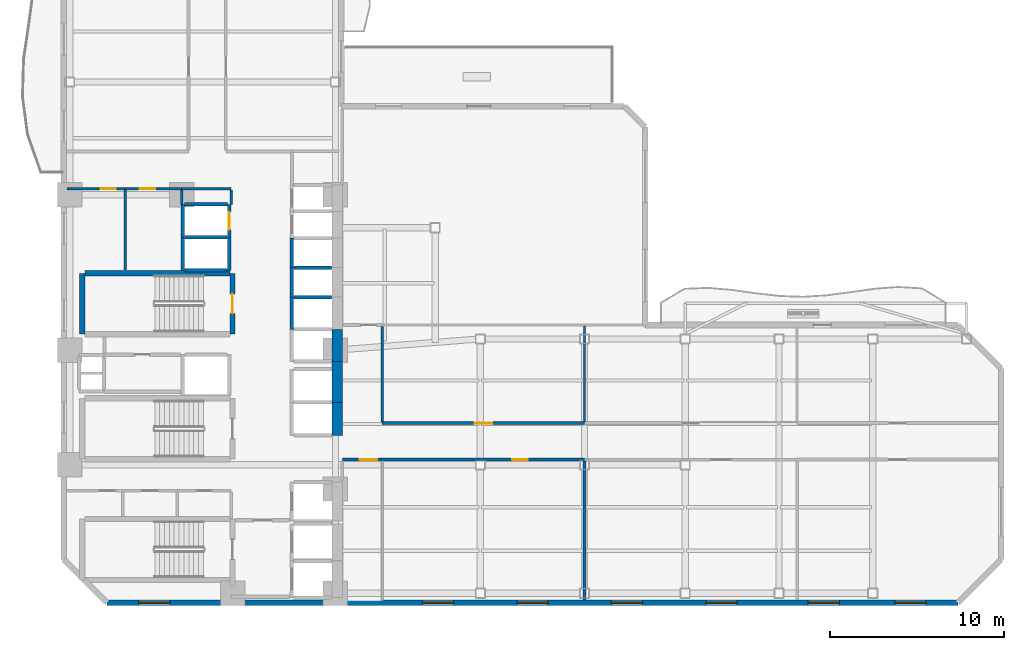
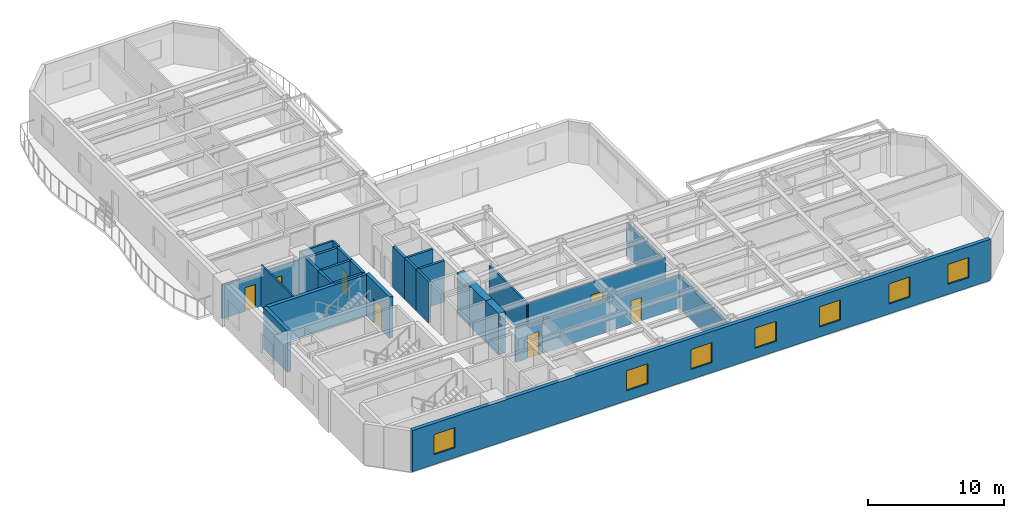
# One storey, part 4 of 10: 31 walls, 7 doors, 7 windows, 14 openings.
"""IFC4 building model written with IfcOpenShell, lengths in metres."""

from ifc_helpers import new_model, si_unit, direction, frame, frame_2d, origin, place, context, subcontext, project, spatial, rectangle, extrude, material, layer, layer_set, type_object, element, fill, save


model = new_model("IFC4")

# Units and contexts
model_context = context("Model", 3, precision=1e-05, world=origin(), true_north=direction((0.0, 1.0)))
body_context = subcontext(model_context, "Body", "Model", "MODEL_VIEW")
ifc_project = project(units=[si_unit("LENGTHUNIT", "METRE"), si_unit("AREAUNIT", "SQUARE_METRE"), si_unit("VOLUMEUNIT", "CUBIC_METRE"), si_unit("PLANEANGLEUNIT", "RADIAN"), si_unit("MASSUNIT", "GRAM", prefix="KILO")], contexts=[model_context])

# Site, building, storey
site_placement = place(None, origin())
site = spatial("IfcSite", under=ifc_project, at=site_placement, CompositionType="ELEMENT")
building_placement = place(site_placement, origin())
building = spatial("IfcBuilding", under=site, at=building_placement, Name="Mawjaban Terraces University", CompositionType="ELEMENT")
storey_placement = place(building_placement, frame((0.0, 0.0, 31.0)))
storey = spatial("IfcBuildingStorey", under=building, at=storey_placement, Name="L06", CompositionType="ELEMENT", Elevation=31.0)

# Walls
ifc_material_1 = material(Name="Concrete C70/85", Category="concrete")
ifc_layer_1 = layer(ifc_material_1, 0.60009765625)
ifc_layer_set_1 = layer_set([ifc_layer_1], Name="Concrete C70/85")
wall_type_1 = type_object("IfcWallType", Name="CoreShearWall_600", PredefinedType="SHEAR", material=ifc_layer_set_1)
wall_1_placement = place(storey_placement, frame((37.75, 9.64990234375, 0.0), z_axis=(0.0, 0.0, 1.0), x_axis=(0.0, 1.0, 0.0)))
element("IfcWall", 1, at=wall_1_placement, inside=storey, type_object=wall_type_1, Name="L06 Lift PL-H1 Hoistway Wall East", PredefinedType="SHEAR", context=body_context, shape_type="SweptSolid", body=[
    extrude(rectangle(XDim=1.900146484375, YDim=0.60009765625, at=frame_2d((0.9501953125, 0.0))), origin(), (0.0, 0.0, 1.0), 3.68994140625),
])
wall_2_placement = place(storey_placement, frame((37.75, 11.550048828125, 0.0), z_axis=(0.0, 0.0, 1.0), x_axis=(0.0, 1.0, 0.0)))
element("IfcWall", 2, at=wall_2_placement, inside=storey, type_object=wall_type_1, Name="L06 Lift PL-H2 Hoistway Wall East", PredefinedType="SHEAR", context=body_context, shape_type="SweptSolid", body=[
    extrude(rectangle(XDim=2.349853515625, YDim=0.60009765625, at=frame_2d((1.1748046875, 0.0))), origin(), (0.0, 0.0, 1.0), 3.68994140625),
])
wall_3_placement = place(storey_placement, frame((37.75, 13.89990234375, 0.0), z_axis=(0.0, 0.0, 1.0), x_axis=(0.0, 1.0, 0.0)))
element("IfcWall", 3, at=wall_3_placement, inside=storey, type_object=wall_type_1, Name="L06 Lift OL-1 Hoistway Wall East", PredefinedType="SHEAR", context=body_context, shape_type="SweptSolid", body=[
    extrude(rectangle(XDim=1.85009765625, YDim=0.60009765625, at=frame_2d((0.925048828125, 0.0))), origin(), (0.0, 0.0, 1.0), 3.68994140625),
])

# Wall, opening, door
ifc_material_2 = material(Name="Fire-rated gypsum board on steel stud", Category="steel")
ifc_layer_2 = layer(ifc_material_2, 0.159912109375)
ifc_layer_set_2 = layer_set([ifc_layer_2], Name="Fire-rated gypsum board on steel stud")
wall_type_2 = type_object("IfcWallType", Name="CorridorPartition_160", PredefinedType="PARTITIONING", material=ifc_layer_set_2)
wall_4_placement = place(storey_placement, frame((25.550048828125, 23.85009765625, 0.0), z_axis=(0.0, 0.0, 1.0), x_axis=(-1.0, 0.0, 0.0)))
wall_4 = element("IfcWall", 4, at=wall_4_placement, inside=storey, type_object=wall_type_2, Name="L06 Ablution Room Partition 5", PredefinedType="PARTITIONING", context=body_context, shape_type="SweptSolid", body=[
    extrude(rectangle(XDim=3.35009765625, YDim=0.159912109375, at=frame_2d((1.675048828125, 0.0))), origin(), (0.0, 0.0, 1.0), 2.9951171875),
])
opening_1_placement = place(wall_4_placement, frame((0.534912109375, 0.0, 0.0)))
opening_1 = element("IfcOpeningElement", 5, at=opening_1_placement, cuts=wall_4, Name="Opening ID-088", PredefinedType="OPENING", context=body_context, shape_type="SweptSolid", body=[
    extrude(rectangle(XDim=0.8798828125, YDim=2.10009765625, at=frame_2d((0.43994140625, 1.050048828125))), frame((0.0, 0.08984375, 0.0), z_axis=(0.0, -1.0, 0.0), x_axis=(1.0, 0.0, 0.0)), (0.0, 0.0, 1.0), 0.179931640625),
])
ifc_material_3 = material(Name="Powder-coated steel frame and solid acoustic timber leaf", Category="steel")
door_type_1 = type_object("IfcDoorType", Name="ToiletDoor_880x2100", OperationType="NOTDEFINED", PredefinedType="DOOR", material=ifc_material_3)
door_1_placement = place(opening_1_placement, origin())
door_1 = element("IfcDoor", 6, at=door_1_placement, inside=storey, type_object=door_type_1, Name="L06 Ablution Room Door", OperationType="SINGLE_SWING_RIGHT", OverallHeight=2.10009765625, OverallWidth=0.8798828125, PredefinedType="DOOR", context=body_context, shape_type="SweptSolid", body=[
    extrude(rectangle(XDim=0.8798828125, YDim=2.10009765625, at=frame_2d((0.43994140625, 1.050048828125))), frame((0.0, 0.02490234375, 0.0), z_axis=(0.0, -1.0, 0.0), x_axis=(1.0, 0.0, 0.0)), (0.0, 0.0, 1.0), 0.050048828125),
])
fill(opening_1, door_1)

wall_5_placement = place(storey_placement, frame((28.800048828125, 23.85009765625, 0.0), z_axis=(0.0, 0.0, 1.0), x_axis=(-1.0, 0.0, 0.0)))
wall_5 = element("IfcWall", 7, at=wall_5_placement, inside=storey, type_object=wall_type_2, Name="L06 Cleaner Store Partition 7", PredefinedType="PARTITIONING", context=body_context, shape_type="SweptSolid", body=[
    extrude(rectangle(XDim=3.25, YDim=0.159912109375, at=frame_2d((1.625, 0.0))), origin(), (0.0, 0.0, 1.0), 2.9951171875),
])
opening_2_placement = place(wall_5_placement, frame((1.52490234375, 0.0, 0.0)))
opening_2 = element("IfcOpeningElement", 8, at=opening_2_placement, cuts=wall_5, Name="Opening ID-090", PredefinedType="OPENING", context=body_context, shape_type="SweptSolid", body=[
    extrude(rectangle(XDim=0.89990234375, YDim=2.10009765625, at=frame_2d((0.449951171875, 1.050048828125))), frame((0.0, 0.08984375, 0.0), z_axis=(0.0, -1.0, 0.0), x_axis=(1.0, 0.0, 0.0)), (0.0, 0.0, 1.0), 0.179931640625),
])
door_type_2 = type_object("IfcDoorType", Name="OfficeDoor_900x2100", OperationType="NOTDEFINED", PredefinedType="DOOR", material=ifc_material_3)
door_2_placement = place(opening_2_placement, origin())
door_2 = element("IfcDoor", 9, at=door_2_placement, inside=storey, type_object=door_type_2, Name="L06 Cleaner Store Door", OperationType="SINGLE_SWING_LEFT", OverallHeight=2.10009765625, OverallWidth=0.89990234375, PredefinedType="DOOR", context=body_context, shape_type="SweptSolid", body=[
    extrude(rectangle(XDim=0.89990234375, YDim=2.10009765625, at=frame_2d((0.449951171875, 1.050048828125))), frame((0.0, 0.02490234375, 0.0), z_axis=(0.0, -1.0, 0.0), x_axis=(1.0, 0.0, 0.0)), (0.0, 0.0, 1.0), 0.050048828125),
])
fill(opening_2, door_2)

# Wall
wall_6_placement = place(storey_placement, frame((28.800048828125, 23.85009765625, 0.0), z_axis=(0.0, 0.0, 1.0), x_axis=(1.0, 0.0, 0.0)))
element("IfcWall", 10, at=wall_6_placement, inside=storey, type_object=wall_type_2, Name="L06 North Core Cross-Corridor Partition 8", PredefinedType="PARTITIONING", context=body_context, shape_type="SweptSolid", body=[
    extrude(rectangle(XDim=2.849853515625, YDim=0.159912109375, at=frame_2d((1.4248046875, 0.0))), origin(), (0.0, 0.0, 1.0), 3.68994140625),
])

# Wall, opening, door
wall_7_placement = place(storey_placement, frame((38.050048828125, 8.25, 0.0), z_axis=(0.0, 0.0, 1.0), x_axis=(1.0, 0.0, 0.0)))
wall_7 = element("IfcWall", 11, at=wall_7_placement, inside=storey, type_object=wall_type_2, Name="L06 East Academic Corridor Vestibule Partition 18", PredefinedType="PARTITIONING", context=body_context, shape_type="SweptSolid", body=[
    extrude(rectangle(XDim=2.300048828125, YDim=0.159912109375, at=frame_2d((1.14990234375, 0.0))), origin(), (0.0, 0.0, 1.0), 2.9951171875),
])
opening_3_placement = place(wall_7_placement, frame((1.0, 0.0, 0.0)))
opening_3 = element("IfcOpeningElement", 12, at=opening_3_placement, cuts=wall_7, Name="Opening ID-100", PredefinedType="OPENING", context=body_context, shape_type="SweptSolid", body=[
    extrude(rectangle(XDim=1.0, YDim=2.10009765625, at=frame_2d((0.5, 1.050048828125))), frame((0.0, 0.08984375, 0.0), z_axis=(0.0, -1.0, 0.0), x_axis=(1.0, 0.0, 0.0)), (0.0, 0.0, 1.0), 0.179931640625),
])
door_type_3 = type_object("IfcDoorType", Name="ClassroomDoor_1000x2100", OperationType="NOTDEFINED", PredefinedType="DOOR", material=ifc_material_3)
door_3_placement = place(opening_3_placement, origin())
door_3 = element("IfcDoor", 13, at=door_3_placement, inside=storey, type_object=door_type_3, Name="L06 Classroom 1 Door", OperationType="SINGLE_SWING_RIGHT", OverallHeight=2.10009765625, OverallWidth=1.0, PredefinedType="DOOR", context=body_context, shape_type="SweptSolid", body=[
    extrude(rectangle(XDim=1.0, YDim=2.10009765625, at=frame_2d((0.5, 1.050048828125))), frame((0.0, 0.02490234375, 0.0), z_axis=(0.0, -1.0, 0.0), x_axis=(1.0, 0.0, 0.0)), (0.0, 0.0, 1.0), 0.050048828125),
])
fill(opening_3, door_3)

wall_8_placement = place(storey_placement, frame((40.35009765625, 8.25, 0.0), z_axis=(0.0, 0.0, 1.0), x_axis=(1.0, 0.0, 0.0)))
wall_8 = element("IfcWall", 14, at=wall_8_placement, inside=storey, type_object=wall_type_2, Name="L06 East Academic Spine Corridor Partition 19", PredefinedType="PARTITIONING", context=body_context, shape_type="SweptSolid", body=[
    extrude(rectangle(XDim=11.64990234375, YDim=0.159912109375, at=frame_2d((5.824951171875, 0.0))), origin(), (0.0, 0.0, 1.0), 2.9951171875),
])
opening_4_placement = place(wall_8_placement, frame((7.47509765625, 0.0, 0.0)))
opening_4 = element("IfcOpeningElement", 15, at=opening_4_placement, cuts=wall_8, Name="Opening ID-090", PredefinedType="OPENING", context=body_context, shape_type="SweptSolid", body=[
    extrude(rectangle(XDim=0.89990234375, YDim=2.10009765625, at=frame_2d((0.449951171875, 1.050048828125))), frame((0.0, 0.08984375, 0.0), z_axis=(0.0, -1.0, 0.0), x_axis=(1.0, 0.0, 0.0)), (0.0, 0.0, 1.0), 0.179931640625),
])
door_4_placement = place(opening_4_placement, origin())
door_4 = element("IfcDoor", 16, at=door_4_placement, inside=storey, type_object=door_type_2, Name="L06 Seminar Room 2 Door", OperationType="SINGLE_SWING_LEFT", OverallHeight=2.10009765625, OverallWidth=0.89990234375, PredefinedType="DOOR", context=body_context, shape_type="SweptSolid", body=[
    extrude(rectangle(XDim=0.89990234375, YDim=2.10009765625, at=frame_2d((0.449951171875, 1.050048828125))), frame((0.0, 0.02490234375, 0.0), z_axis=(0.0, -1.0, 0.0), x_axis=(1.0, 0.0, 0.0)), (0.0, 0.0, 1.0), 0.050048828125),
])
fill(opening_4, door_4)

wall_9_placement = place(storey_placement, frame((52.0, 10.35009765625, 0.0), z_axis=(0.0, 0.0, 1.0), x_axis=(-1.0, 0.0, 0.0)))
wall_9 = element("IfcWall", 17, at=wall_9_placement, inside=storey, type_object=wall_type_2, Name="L06 East Academic Spine Corridor Partition 22", PredefinedType="PARTITIONING", context=body_context, shape_type="SweptSolid", body=[
    extrude(rectangle(XDim=11.64990234375, YDim=0.159912109375, at=frame_2d((5.824951171875, 0.0))), origin(), (0.0, 0.0, 1.0), 3.22705078125),
])
opening_5_placement = place(wall_9_placement, frame((5.324951171875, 0.0, 0.0)))
opening_5 = element("IfcOpeningElement", 18, at=opening_5_placement, cuts=wall_9, Name="Opening ID-100", PredefinedType="OPENING", context=body_context, shape_type="SweptSolid", body=[
    extrude(rectangle(XDim=1.0, YDim=2.10009765625, at=frame_2d((0.5, 1.050048828125))), frame((0.0, 0.08984375, 0.0), z_axis=(0.0, -1.0, 0.0), x_axis=(1.0, 0.0, 0.0)), (0.0, 0.0, 1.0), 0.179931640625),
])
door_5_placement = place(opening_5_placement, origin())
door_5 = element("IfcDoor", 19, at=door_5_placement, inside=storey, type_object=door_type_3, Name="L06 Classroom 3 Door", OperationType="SINGLE_SWING_RIGHT", OverallHeight=2.10009765625, OverallWidth=1.0, PredefinedType="DOOR", context=body_context, shape_type="SweptSolid", body=[
    extrude(rectangle(XDim=1.0, YDim=2.10009765625, at=frame_2d((0.5, 1.050048828125))), frame((0.0, 0.02490234375, 0.0), z_axis=(0.0, -1.0, 0.0), x_axis=(1.0, 0.0, 0.0)), (0.0, 0.0, 1.0), 0.050048828125),
])
fill(opening_5, door_5)

# Walls
wall_10_placement = place(storey_placement, frame((31.64990234375, 23.77490234375, 0.0), z_axis=(0.0, 0.0, 1.0), x_axis=(0.0, -1.0, 0.0)))
element("IfcWall", 20, at=wall_10_placement, inside=storey, type_object=wall_type_2, Name="L06 Passenger Lift Lobby Partition 40", PredefinedType="PARTITIONING", context=body_context, shape_type="SweptSolid", body=[
    extrude(rectangle(XDim=0.824951171875, YDim=0.159912109375, at=frame_2d((0.41259765625, 0.0))), origin(), (0.0, 0.0, 1.0), 3.68994140625),
])
wall_11_placement = place(storey_placement, frame((40.35009765625, 10.425048828125, 0.0), z_axis=(0.0, 0.0, 1.0), x_axis=(0.0, 1.0, 0.0)))
element("IfcWall", 21, at=wall_11_placement, inside=storey, type_object=wall_type_2, Name="L06 East Academic Corridor Vestibule Partition 45", PredefinedType="PARTITIONING", context=body_context, shape_type="SweptSolid", body=[
    extrude(rectangle(XDim=5.5, YDim=0.159912109375, at=frame_2d((2.75, 0.0))), origin(), (0.0, 0.0, 1.0), 3.22705078125),
])

# Wall, openings, windows
ifc_material_4 = material(Name="Insulated terracotta rainscreen on concrete backup C40/50", Category="masonry")
ifc_layer_3 = layer(ifc_material_4, 0.320068359375)
ifc_layer_set_3 = layer_set([ifc_layer_3], Name="Insulated terracotta rainscreen on concrete backup C40/50")
wall_type_3 = type_object("IfcWallType", Name="ExtTerracottaWall_320", PredefinedType="SOLIDWALL", material=ifc_layer_set_3)
wall_12_placement = place(storey_placement, frame((24.5, 0.0, 0.0), z_axis=(0.0, 0.0, 1.0), x_axis=(1.0, 0.0, 0.0)))
wall_12 = element("IfcWall", 22, at=wall_12_placement, inside=storey, type_object=wall_type_3, Name="L06 Exterior Terracotta Wall 1", PredefinedType="SOLIDWALL", context=body_context, shape_type="SweptSolid", body=[
    extrude(rectangle(XDim=49.0, YDim=0.320068359375, at=frame_2d((24.5, 0.0))), origin(), (0.0, 0.0, 1.0), 3.68994140625),
])
opening_6_placement = place(wall_12_placement, frame((1.822021484375, 0.0, 0.89990234375)))
opening_6 = element("IfcOpeningElement", 23, at=opening_6_placement, cuts=wall_12, Name="Opening W-07", PredefinedType="OPENING", context=body_context, shape_type="SweptSolid", body=[
    extrude(rectangle(XDim=1.800048828125, YDim=1.800048828125, at=frame_2d((0.89990234375, 0.89990234375))), frame((0.0, 0.169921875, 0.0), z_axis=(0.0, -1.0, 0.0), x_axis=(1.0, 0.0, 0.0)), (0.0, 0.0, 1.0), 0.340087890625),
])
opening_7_placement = place(wall_12_placement, frame((18.156005859375, 0.0, 0.89990234375)))
opening_7 = element("IfcOpeningElement", 24, at=opening_7_placement, cuts=wall_12, Name="Opening W-07", PredefinedType="OPENING", context=body_context, shape_type="SweptSolid", body=[
    extrude(rectangle(XDim=1.800048828125, YDim=1.800048828125, at=frame_2d((0.89990234375, 0.89990234375))), frame((0.0, 0.169921875, 0.0), z_axis=(0.0, -1.0, 0.0), x_axis=(1.0, 0.0, 0.0)), (0.0, 0.0, 1.0), 0.340087890625),
])
opening_8_placement = place(wall_12_placement, frame((23.60009765625, 0.0, 0.89990234375)))
opening_8 = element("IfcOpeningElement", 25, at=opening_8_placement, cuts=wall_12, Name="Opening W-07", PredefinedType="OPENING", context=body_context, shape_type="SweptSolid", body=[
    extrude(rectangle(XDim=1.800048828125, YDim=1.800048828125, at=frame_2d((0.89990234375, 0.89990234375))), frame((0.0, 0.169921875, 0.0), z_axis=(0.0, -1.0, 0.0), x_axis=(1.0, 0.0, 0.0)), (0.0, 0.0, 1.0), 0.340087890625),
])
opening_9_placement = place(wall_12_placement, frame((29.0439453125, 0.0, 0.89990234375)))
opening_9 = element("IfcOpeningElement", 26, at=opening_9_placement, cuts=wall_12, Name="Opening W-07", PredefinedType="OPENING", context=body_context, shape_type="SweptSolid", body=[
    extrude(rectangle(XDim=1.800048828125, YDim=1.800048828125, at=frame_2d((0.89990234375, 0.89990234375))), frame((0.0, 0.169921875, 0.0), z_axis=(0.0, -1.0, 0.0), x_axis=(1.0, 0.0, 0.0)), (0.0, 0.0, 1.0), 0.340087890625),
])
opening_10_placement = place(wall_12_placement, frame((34.489013671875, 0.0, 0.89990234375)))
opening_10 = element("IfcOpeningElement", 27, at=opening_10_placement, cuts=wall_12, Name="Opening W-07", PredefinedType="OPENING", context=body_context, shape_type="SweptSolid", body=[
    extrude(rectangle(XDim=1.800048828125, YDim=1.800048828125, at=frame_2d((0.89990234375, 0.89990234375))), frame((0.0, 0.169921875, 0.0), z_axis=(0.0, -1.0, 0.0), x_axis=(1.0, 0.0, 0.0)), (0.0, 0.0, 1.0), 0.340087890625),
])
opening_11_placement = place(wall_12_placement, frame((40.383056640625, 0.0, 0.89990234375)))
opening_11 = element("IfcOpeningElement", 28, at=opening_11_placement, cuts=wall_12, Name="Opening W-07", PredefinedType="OPENING", context=body_context, shape_type="SweptSolid", body=[
    extrude(rectangle(XDim=1.800048828125, YDim=1.800048828125, at=frame_2d((0.89990234375, 0.89990234375))), frame((0.0, 0.169921875, 0.0), z_axis=(0.0, -1.0, 0.0), x_axis=(1.0, 0.0, 0.0)), (0.0, 0.0, 1.0), 0.340087890625),
])
opening_12_placement = place(wall_12_placement, frame((45.3779296875, 0.0, 0.89990234375)))
opening_12 = element("IfcOpeningElement", 29, at=opening_12_placement, cuts=wall_12, Name="Opening W-07", PredefinedType="OPENING", context=body_context, shape_type="SweptSolid", body=[
    extrude(rectangle(XDim=1.800048828125, YDim=1.800048828125, at=frame_2d((0.89990234375, 0.89990234375))), frame((0.0, 0.169921875, 0.0), z_axis=(0.0, -1.0, 0.0), x_axis=(1.0, 0.0, 0.0)), (0.0, 0.0, 1.0), 0.340087890625),
])
ifc_material_5 = material(Name="Low-E solar-control double glazing in thermally broken aluminium frame", Category="aluminium")
window_type = type_object("IfcWindowType", Name="Win_1800x1800", PartitioningType="SINGLE_PANEL", PredefinedType="WINDOW", material=ifc_material_5)
window_1_placement = place(opening_6_placement, origin())
window_1 = element("IfcWindow", 30, at=window_1_placement, inside=storey, type_object=window_type, Name="L06 Facade Window 1.1", OverallHeight=1.800048828125, OverallWidth=1.800048828125, PartitioningType="SINGLE_PANEL", PredefinedType="WINDOW", context=body_context, shape_type="SweptSolid", body=[
    extrude(rectangle(XDim=1.800048828125, YDim=1.800048828125, at=frame_2d((0.89990234375, 0.89990234375))), frame((0.0, 0.030029296875, 0.0), z_axis=(0.0, -1.0, 0.0), x_axis=(1.0, 0.0, 0.0)), (0.0, 0.0, 1.0), 0.06005859375),
])
fill(opening_6, window_1)
window_2_placement = place(opening_7_placement, origin())
window_2 = element("IfcWindow", 31, at=window_2_placement, inside=storey, type_object=window_type, Name="L06 Facade Window 1.4", OverallHeight=1.800048828125, OverallWidth=1.800048828125, PartitioningType="SINGLE_PANEL", PredefinedType="WINDOW", context=body_context, shape_type="SweptSolid", body=[
    extrude(rectangle(XDim=1.800048828125, YDim=1.800048828125, at=frame_2d((0.89990234375, 0.89990234375))), frame((0.0, 0.030029296875, 0.0), z_axis=(0.0, -1.0, 0.0), x_axis=(1.0, 0.0, 0.0)), (0.0, 0.0, 1.0), 0.06005859375),
])
fill(opening_7, window_2)
window_3_placement = place(opening_8_placement, origin())
window_3 = element("IfcWindow", 32, at=window_3_placement, inside=storey, type_object=window_type, Name="L06 Facade Window 1.5", OverallHeight=1.800048828125, OverallWidth=1.800048828125, PartitioningType="SINGLE_PANEL", PredefinedType="WINDOW", context=body_context, shape_type="SweptSolid", body=[
    extrude(rectangle(XDim=1.800048828125, YDim=1.800048828125, at=frame_2d((0.89990234375, 0.89990234375))), frame((0.0, 0.030029296875, 0.0), z_axis=(0.0, -1.0, 0.0), x_axis=(1.0, 0.0, 0.0)), (0.0, 0.0, 1.0), 0.06005859375),
])
fill(opening_8, window_3)
window_4_placement = place(opening_9_placement, origin())
window_4 = element("IfcWindow", 33, at=window_4_placement, inside=storey, type_object=window_type, Name="L06 Facade Window 1.6", OverallHeight=1.800048828125, OverallWidth=1.800048828125, PartitioningType="SINGLE_PANEL", PredefinedType="WINDOW", context=body_context, shape_type="SweptSolid", body=[
    extrude(rectangle(XDim=1.800048828125, YDim=1.800048828125, at=frame_2d((0.89990234375, 0.89990234375))), frame((0.0, 0.030029296875, 0.0), z_axis=(0.0, -1.0, 0.0), x_axis=(1.0, 0.0, 0.0)), (0.0, 0.0, 1.0), 0.06005859375),
])
fill(opening_9, window_4)
window_5_placement = place(opening_10_placement, origin())
window_5 = element("IfcWindow", 34, at=window_5_placement, inside=storey, type_object=window_type, Name="L06 Facade Window 1.7", OverallHeight=1.800048828125, OverallWidth=1.800048828125, PartitioningType="SINGLE_PANEL", PredefinedType="WINDOW", context=body_context, shape_type="SweptSolid", body=[
    extrude(rectangle(XDim=1.800048828125, YDim=1.800048828125, at=frame_2d((0.89990234375, 0.89990234375))), frame((0.0, 0.030029296875, 0.0), z_axis=(0.0, -1.0, 0.0), x_axis=(1.0, 0.0, 0.0)), (0.0, 0.0, 1.0), 0.06005859375),
])
fill(opening_10, window_5)
window_6_placement = place(opening_11_placement, origin())
window_6 = element("IfcWindow", 35, at=window_6_placement, inside=storey, type_object=window_type, Name="L06 Facade Window 1.8", OverallHeight=1.800048828125, OverallWidth=1.800048828125, PartitioningType="SINGLE_PANEL", PredefinedType="WINDOW", context=body_context, shape_type="SweptSolid", body=[
    extrude(rectangle(XDim=1.800048828125, YDim=1.800048828125, at=frame_2d((0.89990234375, 0.89990234375))), frame((0.0, 0.030029296875, 0.0), z_axis=(0.0, -1.0, 0.0), x_axis=(1.0, 0.0, 0.0)), (0.0, 0.0, 1.0), 0.06005859375),
])
fill(opening_11, window_6)
window_7_placement = place(opening_12_placement, origin())
window_7 = element("IfcWindow", 36, at=window_7_placement, inside=storey, type_object=window_type, Name="L06 Facade Window 1.9", OverallHeight=1.800048828125, OverallWidth=1.800048828125, PartitioningType="SINGLE_PANEL", PredefinedType="WINDOW", context=body_context, shape_type="SweptSolid", body=[
    extrude(rectangle(XDim=1.800048828125, YDim=1.800048828125, at=frame_2d((0.89990234375, 0.89990234375))), frame((0.0, 0.030029296875, 0.0), z_axis=(0.0, -1.0, 0.0), x_axis=(1.0, 0.0, 0.0)), (0.0, 0.0, 1.0), 0.06005859375),
])
fill(opening_12, window_7)

# Walls
ifc_material_6 = material(Name="Concrete C40/50", Category="concrete")
ifc_layer_4 = layer(ifc_material_6, 0.199951171875)
ifc_layer_set_4 = layer_set([ifc_layer_4], Name="Concrete C40/50")
wall_type_4 = type_object("IfcWallType", Name="FireLobbyWall_200", PredefinedType="SOLIDWALL", material=ifc_layer_set_4)
wall_13_placement = place(storey_placement, frame((35.14990234375, 17.60009765625, 0.0), z_axis=(0.0, 0.0, 1.0), x_axis=(0.0, -1.0, 0.0)))
element("IfcWall", 37, at=wall_13_placement, inside=storey, type_object=wall_type_4, Name="L06 Lift OL-2 Hoistway Wall West", PredefinedType="SOLIDWALL", context=body_context, shape_type="SweptSolid", body=[
    extrude(rectangle(XDim=1.85009765625, YDim=0.199951171875, at=frame_2d((0.925048828125, 0.0))), origin(), (0.0, 0.0, 1.0), 3.68994140625),
])
wall_14_placement = place(storey_placement, frame((37.419921875, 17.60009765625, 0.0), z_axis=(0.0, 0.0, 1.0), x_axis=(-1.0, 0.0, 0.0)))
element("IfcWall", 38, at=wall_14_placement, inside=storey, type_object=wall_type_4, Name="L06 Lift OL-2 Hoistway Wall North", PredefinedType="SOLIDWALL", context=body_context, shape_type="SweptSolid", body=[
    extrude(rectangle(XDim=2.139892578125, YDim=0.199951171875, at=frame_2d((1.06982421875, 0.0))), origin(), (0.0, 0.0, 1.0), 3.68994140625),
])
wall_15_placement = place(storey_placement, frame((35.14990234375, 19.300048828125, 0.0), z_axis=(0.0, 0.0, 1.0), x_axis=(0.0, -1.0, 0.0)))
element("IfcWall", 39, at=wall_15_placement, inside=storey, type_object=wall_type_4, Name="L06 Lift PL-M1 Hoistway Wall West", PredefinedType="SOLIDWALL", context=body_context, shape_type="SweptSolid", body=[
    extrude(rectangle(XDim=1.699951171875, YDim=0.199951171875, at=frame_2d((0.85009765625, 0.0))), origin(), (0.0, 0.0, 1.0), 3.68994140625),
])
wall_16_placement = place(storey_placement, frame((37.419921875, 19.300048828125, 0.0), z_axis=(0.0, 0.0, 1.0), x_axis=(-1.0, 0.0, 0.0)))
element("IfcWall", 40, at=wall_16_placement, inside=storey, type_object=wall_type_4, Name="L06 Lift PL-M1 Hoistway Wall North", PredefinedType="SOLIDWALL", context=body_context, shape_type="SweptSolid", body=[
    extrude(rectangle(XDim=2.139892578125, YDim=0.199951171875, at=frame_2d((1.06982421875, 0.0))), origin(), (0.0, 0.0, 1.0), 3.68994140625),
])
wall_17_placement = place(storey_placement, frame((35.14990234375, 21.0, 0.0), z_axis=(0.0, 0.0, 1.0), x_axis=(0.0, -1.0, 0.0)))
element("IfcWall", 41, at=wall_17_placement, inside=storey, type_object=wall_type_4, Name="L06 Lift PL-M2 Hoistway Wall West", PredefinedType="SOLIDWALL", context=body_context, shape_type="SweptSolid", body=[
    extrude(rectangle(XDim=1.699951171875, YDim=0.199951171875, at=frame_2d((0.85009765625, 0.0))), origin(), (0.0, 0.0, 1.0), 3.68994140625),
])
for number, where, z_axis, x_axis, name in (
    (42, (28.85009765625, 21.050048828125, 0.0), (0.0, 0.0, 1.0), (0.0, -1.0, 0.0), "L06 Lift PL-M3 Hoistway Wall West"),
    (43, (31.550048828125, 19.14990234375, 0.0), (0.0, 0.0, 1.0), (0.0, 1.0, 0.0), "L06 Lift PL-M3 Hoistway Wall East"),
):
    element("IfcWall", number, at=place(storey_placement, frame(where, z_axis=z_axis, x_axis=x_axis)), inside=storey, type_object=wall_type_4, Name=name, PredefinedType="SOLIDWALL", context=body_context, shape_type="SweptSolid", body=[
        extrude(rectangle(XDim=1.900146484375, YDim=0.199951171875, at=frame_2d((0.9501953125, 0.0))), origin(), (0.0, 0.0, 1.0), 3.68994140625),
    ])
for number, where, z_axis, x_axis, name in (
    (44, (28.97998046875, 19.14990234375, 0.0), (0.0, 0.0, 1.0), (1.0, 0.0, 0.0), "L06 Lift PL-M3 Hoistway Wall South"),
    (45, (31.419921875, 21.050048828125, 0.0), (0.0, 0.0, 1.0), (-1.0, 0.0, 0.0), "L06 Lift PL-M3 Hoistway Wall North"),
):
    element("IfcWall", number, at=place(storey_placement, frame(where, z_axis=z_axis, x_axis=x_axis)), inside=storey, type_object=wall_type_4, Name=name, PredefinedType="SOLIDWALL", context=body_context, shape_type="SweptSolid", body=[
        extrude(rectangle(XDim=2.43994140625, YDim=0.199951171875, at=frame_2d((1.219970703125, 0.0))), origin(), (0.0, 0.0, 1.0), 3.68994140625),
    ])
wall_18_placement = place(storey_placement, frame((28.85009765625, 22.949951171875, 0.0), z_axis=(0.0, 0.0, 1.0), x_axis=(0.0, -1.0, 0.0)))
element("IfcWall", 46, at=wall_18_placement, inside=storey, type_object=wall_type_4, Name="L06 Lift PL-L3 Hoistway Wall West", PredefinedType="SOLIDWALL", context=body_context, shape_type="SweptSolid", body=[
    extrude(rectangle(XDim=1.89990234375, YDim=0.199951171875, at=frame_2d((0.949951171875, 0.0))), origin(), (0.0, 0.0, 1.0), 3.68994140625),
])

# Wall, opening, door
wall_19_placement = place(storey_placement, frame((31.550048828125, 21.050048828125, 0.0), z_axis=(0.0, 0.0, 1.0), x_axis=(0.0, 1.0, 0.0)))
wall_19 = element("IfcWall", 47, at=wall_19_placement, inside=storey, type_object=wall_type_4, Name="L06 Lift PL-L3 Hoistway Wall East", PredefinedType="SOLIDWALL", context=body_context, shape_type="SweptSolid", body=[
    extrude(rectangle(XDim=1.89990234375, YDim=0.199951171875, at=frame_2d((0.949951171875, 0.0))), origin(), (0.0, 0.0, 1.0), 3.68994140625),
])
opening_13_placement = place(wall_19_placement, frame((0.449951171875, 0.0, 0.0)))
opening_13 = element("IfcOpeningElement", 48, at=opening_13_placement, cuts=wall_19, Name="Opening LD-PL-L3", PredefinedType="OPENING", context=body_context, shape_type="SweptSolid", body=[
    extrude(rectangle(XDim=1.0, YDim=2.10009765625, at=frame_2d((0.5, 1.050048828125))), frame((0.0, 0.10986328125, 0.0), z_axis=(0.0, -1.0, 0.0), x_axis=(1.0, 0.0, 0.0)), (0.0, 0.0, 1.0), 0.219970703125),
])
ifc_material_7 = material(Name="Powder-coated steel frame and fire-rated steel-faced leaf", Category="steel")
door_type_4 = type_object("IfcDoorType", Name="LiftLandingSliding_1000x2100", OperationType="NOTDEFINED", PredefinedType="DOOR", material=ifc_material_7)
door_6_placement = place(opening_13_placement, origin())
door_6 = element("IfcDoor", 49, at=door_6_placement, inside=storey, type_object=door_type_4, Name="L06 Lift PL-L3 Sliding Landing Door", OperationType="DOUBLE_DOOR_SLIDING", OverallHeight=2.10009765625, OverallWidth=1.0, PredefinedType="DOOR", context=body_context, shape_type="SweptSolid", body=[
    extrude(rectangle(XDim=1.0, YDim=2.10009765625, at=frame_2d((0.5, 1.050048828125))), frame((0.0, 0.02490234375, 0.0), z_axis=(0.0, -1.0, 0.0), x_axis=(1.0, 0.0, 0.0)), (0.0, 0.0, 1.0), 0.050048828125),
])
fill(opening_13, door_6)

# Walls
wall_20_placement = place(storey_placement, frame((31.429931640625, 22.949951171875, 0.0), z_axis=(0.0, 0.0, 1.0), x_axis=(-1.0, 0.0, 0.0)))
element("IfcWall", 50, at=wall_20_placement, inside=storey, type_object=wall_type_4, Name="L06 Lift PL-L3 Hoistway Wall North", PredefinedType="SOLIDWALL", context=body_context, shape_type="SweptSolid", body=[
    extrude(rectangle(XDim=2.4599609375, YDim=0.199951171875, at=frame_2d((1.22998046875, 0.0))), origin(), (0.0, 0.0, 1.0), 3.68994140625),
])
ifc_material_8 = material(Name="Moisture-resistant gypsum board on steel stud", Category="steel")
ifc_layer_5 = layer(ifc_material_8, 0.14501953125)
ifc_layer_set_5 = layer_set([ifc_layer_5], Name="Moisture-resistant gypsum board on steel stud")
wall_type_5 = type_object("IfcWallType", Name="LabPartition_145", PredefinedType="PARTITIONING", material=ifc_layer_set_5)
wall_21_placement = place(storey_placement, frame((52.0, 0.155029296875, 0.0), z_axis=(0.0, 0.0, 1.0), x_axis=(0.0, 1.0, 0.0)))
element("IfcWall", 51, at=wall_21_placement, inside=storey, type_object=wall_type_5, Name="L06 Seminar Room 2 Partition 46", PredefinedType="PARTITIONING", context=body_context, shape_type="SweptSolid", body=[
    extrude(rectangle(XDim=8.02001953125, YDim=0.14501953125, at=frame_2d((4.010009765625, 0.0))), origin(), (0.0, 0.0, 1.0), 2.9951171875),
])
ifc_material_9 = material(Name="Gypsum plasterboard on steel stud", Category="steel")
ifc_layer_6 = layer(ifc_material_9, 0.125)
ifc_layer_set_6 = layer_set([ifc_layer_6], Name="Gypsum plasterboard on steel stud")
wall_type_6 = type_object("IfcWallType", Name="OfficePartition_125", PredefinedType="PARTITIONING", material=ifc_layer_set_6)
wall_22_placement = place(storey_placement, frame((28.800048828125, 22.949951171875, 0.0), z_axis=(0.0, 0.0, 1.0), x_axis=(0.0, 1.0, 0.0)))
element("IfcWall", 52, at=wall_22_placement, inside=storey, type_object=wall_type_6, Name="L06 Cleaner Store Partition 32", PredefinedType="PARTITIONING", context=body_context, shape_type="SweptSolid", body=[
    extrude(rectangle(XDim=0.824951171875, YDim=0.125, at=frame_2d((0.41259765625, 0.0))), origin(), (0.0, 0.0, 1.0), 3.68994140625),
])
wall_23_placement = place(storey_placement, frame((52.0, 10.425048828125, 0.0), z_axis=(0.0, 0.0, 1.0), x_axis=(0.0, 1.0, 0.0)))
element("IfcWall", 53, at=wall_23_placement, inside=storey, type_object=wall_type_6, Name="L06 Classroom 3 Partition 47", PredefinedType="PARTITIONING", context=body_context, shape_type="SweptSolid", body=[
    extrude(rectangle(XDim=5.51806640625, YDim=0.125, at=frame_2d((2.759033203125, 0.0))), origin(), (0.0, 0.0, 1.0), 2.9951171875),
])
ifc_material_10 = material(Name="Concrete C60/75", Category="concrete")
ifc_layer_7 = layer(ifc_material_10, 0.300048828125)
ifc_layer_set_7 = layer_set([ifc_layer_7], Name="Concrete C60/75")
wall_type_7 = type_object("IfcWallType", Name="StairShaftWall_300", PredefinedType="SHEAR", material=ifc_layer_set_7)
wall_24_placement = place(storey_placement, frame((31.580078125, 18.97998046875, 0.0), z_axis=(0.0, 0.0, 1.0), x_axis=(-1.0, 0.0, 0.0)))
element("IfcWall", 54, at=wall_24_placement, inside=storey, type_object=wall_type_7, Name="L06 ST-2 Stair Shaft Wall 1", PredefinedType="SHEAR", context=body_context, shape_type="SweptSolid", body=[
    extrude(rectangle(XDim=8.360107421875, YDim=0.300048828125, at=frame_2d((4.18017578125, 0.0))), origin(), (0.0, 0.0, 1.0), 3.68994140625),
])
wall_25_placement = place(storey_placement, frame((23.070068359375, 18.97998046875, 0.0), z_axis=(0.0, 0.0, 1.0), x_axis=(0.0, -1.0, 0.0)))
element("IfcWall", 55, at=wall_25_placement, inside=storey, type_object=wall_type_7, Name="L06 ST-2 Stair Shaft Wall 2", PredefinedType="SHEAR", context=body_context, shape_type="SweptSolid", body=[
    extrude(rectangle(XDim=3.510009765625, YDim=0.300048828125, at=frame_2d((1.7548828125, 0.0))), origin(), (0.0, 0.0, 1.0), 3.68994140625),
])

# Wall, opening, door
wall_26_placement = place(storey_placement, frame((31.72998046875, 15.469970703125, 0.0), z_axis=(0.0, 0.0, 1.0), x_axis=(0.0, 1.0, 0.0)))
wall_26 = element("IfcWall", 56, at=wall_26_placement, inside=storey, type_object=wall_type_7, Name="L06 ST-2 Stair Shaft Wall 4", PredefinedType="SHEAR", context=body_context, shape_type="SweptSolid", body=[
    extrude(rectangle(XDim=3.510009765625, YDim=0.300048828125, at=frame_2d((1.7548828125, 0.0))), origin(), (0.0, 0.0, 1.0), 3.68994140625),
])
opening_14_placement = place(wall_26_placement, frame((1.179931640625, 0.0, 0.0)))
opening_14 = element("IfcOpeningElement", 57, at=opening_14_placement, cuts=wall_26, Name="Opening FD-115", PredefinedType="OPENING", context=body_context, shape_type="SweptSolid", body=[
    extrude(rectangle(XDim=1.14990234375, YDim=2.14990234375, at=frame_2d((0.574951171875, 1.074951171875))), frame((0.0, 0.159912109375, 0.0), z_axis=(0.0, -1.0, 0.0), x_axis=(1.0, 0.0, 0.0)), (0.0, 0.0, 1.0), 0.320068359375),
])
door_type_5 = type_object("IfcDoorType", Name="FireStairDoor_1150x2150", OperationType="NOTDEFINED", PredefinedType="DOOR", material=ifc_material_7)
door_7_placement = place(opening_14_placement, origin())
door_7 = element("IfcDoor", 58, at=door_7_placement, inside=storey, type_object=door_type_5, Name="L06 ST-2 Pressurised Stair Fire Door", OperationType="SINGLE_SWING_LEFT", OverallHeight=2.14990234375, OverallWidth=1.14990234375, PredefinedType="DOOR", context=body_context, shape_type="SweptSolid", body=[
    extrude(rectangle(XDim=1.14990234375, YDim=2.14990234375, at=frame_2d((0.574951171875, 1.074951171875))), frame((0.0, 0.02490234375, 0.0), z_axis=(0.0, -1.0, 0.0), x_axis=(1.0, 0.0, 0.0)), (0.0, 0.0, 1.0), 0.050048828125),
])
fill(opening_14, door_7)

# Wall
ifc_material_11 = material(Name="Cement-board wet-room partition", Category="masonry")
ifc_layer_8 = layer(ifc_material_11, 0.135009765625)
ifc_layer_set_8 = layer_set([ifc_layer_8], Name="Cement-board wet-room partition")
wall_type_8 = type_object("IfcWallType", Name="WetRoomPartition_135", PredefinedType="PARTITIONING", material=ifc_layer_set_8)
wall_27_placement = place(storey_placement, frame((25.550048828125, 19.159912109375, 0.0), z_axis=(0.0, 0.0, 1.0), x_axis=(0.0, 1.0, 0.0)))
element("IfcWall", 59, at=wall_27_placement, inside=storey, type_object=wall_type_8, Name="L06 Ablution Room Partition 30", PredefinedType="PARTITIONING", context=body_context, shape_type="SweptSolid", body=[
    extrude(rectangle(XDim=4.614990234375, YDim=0.135009765625, at=frame_2d((2.3076171875, 0.0))), origin(), (0.0, 0.0, 1.0), 3.68994140625),
])

save(model, "model.ifc")
